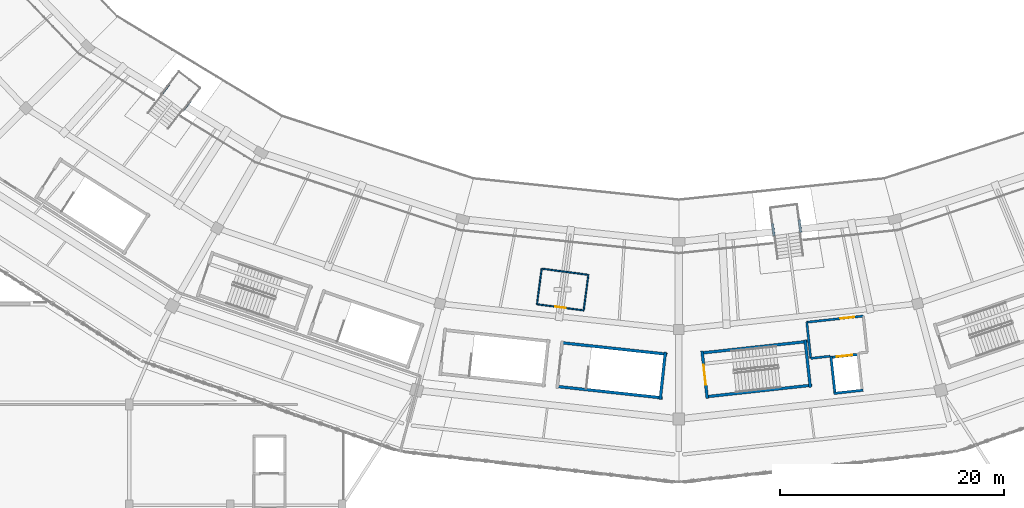
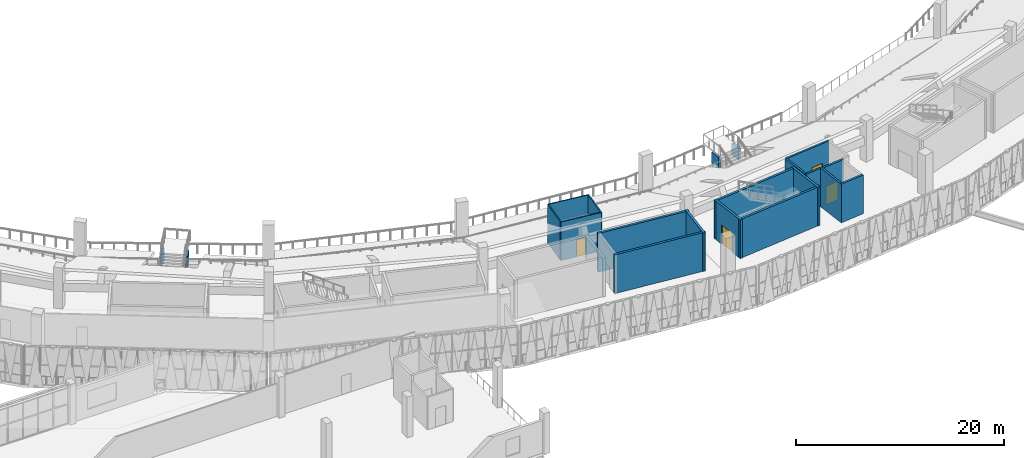
# One storey, part 92 of 152: 21 walls, 4 doors, 4 openings.
"""IFC4 building model written with IfcOpenShell, lengths in metres."""

from ifc_helpers import new_model, si_unit, direction, frame, frame_2d, origin, place, context, subcontext, project, spatial, rectangle, extrude, material, layer, layer_set, type_object, element, fill, save


model = new_model("IFC4")

# Units and contexts
model_context = context("Model", 3, precision=1e-05, world=origin(), true_north=direction((0.0, 1.0)))
body_context = subcontext(model_context, "Body", "Model", "MODEL_VIEW")
ifc_project = project(units=[si_unit("LENGTHUNIT", "METRE"), si_unit("AREAUNIT", "SQUARE_METRE"), si_unit("VOLUMEUNIT", "CUBIC_METRE"), si_unit("PLANEANGLEUNIT", "RADIAN"), si_unit("MASSUNIT", "GRAM", prefix="KILO")], contexts=[model_context])

# Site, building, storey
site_placement = place(None, origin())
site = spatial("IfcSite", under=ifc_project, at=site_placement, CompositionType="ELEMENT")
building_placement = place(site_placement, origin())
building = spatial("IfcBuilding", under=site, at=building_placement, Name="Zevraka Park Crest Stadium", CompositionType="ELEMENT")
storey_placement = place(building_placement, frame((0.0, 0.0, 15.0)))
storey = spatial("IfcBuildingStorey", under=building, at=storey_placement, Name="L03", CompositionType="ELEMENT", Elevation=15.0)

# Walls
ifc_material_1 = material(Name="Autoclaved aerated masonry blockwork", Category="masonry")
ifc_layer_1 = layer(ifc_material_1, 0.199951171875)
ifc_layer_set_1 = layer_set([ifc_layer_1], Name="Autoclaved aerated masonry blockwork")
wall_type_1 = type_object("IfcWallType", Name="IW01", PredefinedType="PARTITIONING", material=ifc_layer_set_1)
wall_1_placement = place(storey_placement, frame((125.47509765625, 22.302001953125, 0.0), z_axis=(0.0, 0.0, 1.0), x_axis=(-0.994135511072, -0.108141507414, 0.0)))
element("IfcWall", 1, at=wall_1_placement, inside=storey, type_object=wall_type_1, Name="Firefighting Lift Lobby Wall IW01 FL04 L03 BACKR", PredefinedType="PARTITIONING", context=body_context, shape_type="SweptSolid", body=[
    extrude(rectangle(XDim=1.72021484375, YDim=0.199951171875, at=frame_2d((0.860107421875, 0.0))), origin(), (0.0, 0.0, 1.0), 4.52001953125),
])
wall_2_placement = place(storey_placement, frame((123.764892578125, 22.115966796875, 0.0), z_axis=(0.0, 0.0, 1.0), x_axis=(-0.108280975823, 0.994120329877, 0.0)))
element("IfcWall", 2, at=wall_2_placement, inside=storey, type_object=wall_type_1, Name="Firefighting Lift Lobby Wall IW01 FL04 L03 RIGHT", PredefinedType="PARTITIONING", context=body_context, shape_type="SweptSolid", body=[
    extrude(rectangle(XDim=3.239990234375, YDim=0.199951171875, at=frame_2d((1.6201171875, 0.0))), origin(), (0.0, 0.0, 1.0), 4.52001953125),
])

# Wall, opening, door
wall_3_placement = place(storey_placement, frame((128.4541015625, 25.885986328125, 0.0), z_axis=(0.0, 0.0, 1.0), x_axis=(-0.994118117986, -0.108301281116, 0.0)))
wall_3 = element("IfcWall", 3, at=wall_3_placement, inside=storey, type_object=wall_type_1, Name="Firefighting Lift Lobby Wall IW01 FL04 L03 FRONT", PredefinedType="PARTITIONING", context=body_context, shape_type="SweptSolid", body=[
    extrude(rectangle(XDim=5.06982421875, YDim=0.199951171875, at=frame_2d((2.534912109375, 0.0))), origin(), (0.0, 0.0, 1.0), 4.52001953125),
])
opening_1_placement = place(wall_3_placement, frame((0.794921875, 0.0, 0.0)))
opening_1 = element("IfcOpeningElement", 4, at=opening_1_placement, cuts=wall_3, Name="Opening D-L03-322", PredefinedType="OPENING", context=body_context, shape_type="SweptSolid", body=[
    extrude(rectangle(XDim=1.25, YDim=2.199951171875, at=frame_2d((0.625, 1.10009765625))), frame((0.0, 0.10986328125, 0.0), z_axis=(0.0, -1.0, 0.0), x_axis=(1.0, 0.0, 0.0)), (0.0, 0.0, 1.0), 0.219970703125),
])
ifc_material_2 = material(Name="Solid-core hardwood timber leaf in steel frame", Category="steel")
door_type_1 = type_object("IfcDoorType", Name="DR07", OperationType="NOTDEFINED", PredefinedType="DOOR", material=ifc_material_2)
door_1_placement = place(opening_1_placement, origin())
door_1 = element("IfcDoor", 5, at=door_1_placement, inside=storey, type_object=door_type_1, Name="Firefighting Lift Lobby FL04 Door D-L03-322", OperationType="SINGLE_SWING_RIGHT", OverallHeight=2.199951171875, OverallWidth=1.25, PredefinedType="DOOR", context=body_context, shape_type="SweptSolid", body=[
    extrude(rectangle(XDim=1.25, YDim=2.199951171875, at=frame_2d((0.625, 1.10009765625))), frame((0.0, 0.02490234375, 0.0), z_axis=(0.0, -1.0, 0.0), x_axis=(1.0, 0.0, 0.0)), (0.0, 0.0, 1.0), 0.050048828125),
])
fill(opening_1, door_1)

# Walls
ifc_material_3 = material(Name="Moisture-resistant sanitary partition", Category="other")
ifc_layer_2 = layer(ifc_material_3, 0.1201171875)
ifc_layer_set_2 = layer_set([ifc_layer_2], Name="Moisture-resistant sanitary partition")
wall_type_2 = type_object("IfcWallType", Name="IW04", PredefinedType="PARTITIONING", material=ifc_layer_set_2)
wall_4_placement = place(storey_placement, frame((99.77587890625, 30.111083984375, 0.0), z_axis=(0.0, 0.0, 1.0), x_axis=(0.991418249748, -0.130728168602, 0.0)))
element("IfcWall", 6, at=wall_4_placement, inside=storey, type_object=wall_type_2, Name="Sanitary Enclosure Wall IW04 Accessible WC L03-003-1", PredefinedType="PARTITIONING", context=body_context, shape_type="SweptSolid", body=[
    extrude(rectangle(XDim=4.2001953125, YDim=0.1201171875, at=frame_2d((2.10009765625, 0.0))), origin(), (0.0, 0.0, 1.0), 4.52001953125),
])
wall_5_placement = place(storey_placement, frame((103.93994140625, 29.56201171875, 0.0), z_axis=(0.0, 0.0, 1.0), x_axis=(-0.13063413101, -0.991430644985, 0.0)))
element("IfcWall", 7, at=wall_5_placement, inside=storey, type_object=wall_type_2, Name="Sanitary Enclosure Wall IW04 Accessible WC L03-003-2", PredefinedType="PARTITIONING", context=body_context, shape_type="SweptSolid", body=[
    extrude(rectangle(XDim=3.199462890625, YDim=0.1201171875, at=frame_2d((1.599609375, 0.0))), origin(), (0.0, 0.0, 1.0), 4.52001953125),
])

# Wall, opening, door
wall_6_placement = place(storey_placement, frame((103.52197265625, 26.389892578125, 0.0), z_axis=(0.0, 0.0, 1.0), x_axis=(-0.991448358947, 0.130499622762, 0.0)))
wall_6 = element("IfcWall", 8, at=wall_6_placement, inside=storey, type_object=wall_type_2, Name="Sanitary Enclosure Wall IW04 Accessible WC L03-003-3", PredefinedType="PARTITIONING", context=body_context, shape_type="SweptSolid", body=[
    extrude(rectangle(XDim=4.199951171875, YDim=0.1201171875, at=frame_2d((2.10009765625, 0.0))), origin(), (0.0, 0.0, 1.0), 4.52001953125),
])
opening_2_placement = place(wall_6_placement, frame((1.625, 0.0, 0.0)))
opening_2 = element("IfcOpeningElement", 9, at=opening_2_placement, cuts=wall_6, Name="Opening D-L03-348", PredefinedType="OPENING", context=body_context, shape_type="SweptSolid", body=[
    extrude(rectangle(XDim=0.949951171875, YDim=2.010009765625, at=frame_2d((0.47509765625, 1.0048828125))), frame((0.0, 0.070068359375, 0.0), z_axis=(0.0, -1.0, 0.0), x_axis=(1.0, 0.0, 0.0)), (0.0, 0.0, 1.0), 0.14013671875),
])
ifc_material_4 = material(Name="Solid-core hardwood timber leaf in steel frame", Category="steel")
door_type_2 = type_object("IfcDoorType", Name="DR08", OperationType="NOTDEFINED", PredefinedType="DOOR", material=ifc_material_4)
door_2_placement = place(opening_2_placement, origin())
door_2 = element("IfcDoor", 10, at=door_2_placement, inside=storey, type_object=door_type_2, Name="Accessible WC Door D-L03-348", OperationType="SINGLE_SWING_RIGHT", OverallHeight=2.010009765625, OverallWidth=0.949951171875, PredefinedType="DOOR", context=body_context, shape_type="SweptSolid", body=[
    extrude(rectangle(XDim=0.949951171875, YDim=2.010009765625, at=frame_2d((0.47509765625, 1.0048828125))), frame((0.0, 0.02490234375, 0.0), z_axis=(0.0, -1.0, 0.0), x_axis=(1.0, 0.0, 0.0)), (0.0, 0.0, 1.0), 0.050048828125),
])
fill(opening_2, door_2)

# Walls
wall_7_placement = place(storey_placement, frame((99.35791015625, 26.93798828125, 0.0), z_axis=(0.0, 0.0, 1.0), x_axis=(0.130594612403, 0.991435851284, 0.0)))
element("IfcWall", 11, at=wall_7_placement, inside=storey, type_object=wall_type_2, Name="Sanitary Enclosure Wall IW04 Accessible WC L03-003-4", PredefinedType="PARTITIONING", context=body_context, shape_type="SweptSolid", body=[
    extrude(rectangle(XDim=3.200439453125, YDim=0.1201171875, at=frame_2d((1.60009765625, 0.0))), origin(), (0.0, 0.0, 1.0), 4.52001953125),
])
ifc_material_5 = material(Name="Concrete C40/50", Category="concrete")
ifc_layer_3 = layer(ifc_material_5, 0.25)
ifc_layer_set_3 = layer_set([ifc_layer_3], Name="Concrete C40/50")
wall_type_3 = type_object("IfcWallType", Name="SW01", PredefinedType="SHEAR", material=ifc_layer_set_3)
for number, where, z_axis, x_axis, name in (
    (12, (114.397216796875, 18.689453125, 0.0), (0.0, 0.0, 1.0), (0.994127555169, 0.108214620337, 0.0), "Stair Core Shear Wall SW01 ST19 L03 left"),
    (13, (123.466796875, 23.619873046875, 0.0), (0.0, 0.0, 1.0), (-0.994127555169, -0.108214620337, 0.0), "Stair Core Shear Wall SW01 ST19 L03 right"),
):
    element("IfcWall", number, at=place(storey_placement, frame(where, z_axis=z_axis, x_axis=x_axis)), inside=storey, type_object=wall_type_3, Name=name, PredefinedType="SHEAR", context=body_context, shape_type="SweptSolid", body=[
        extrude(rectangle(XDim=9.550048828125, YDim=0.25, at=frame_2d((4.77490234375, 0.0))), origin(), (0.0, 0.0, 1.0), 4.5400390625),
    ])

# Wall, opening, door
wall_8_placement = place(storey_placement, frame((114.078857421875, 22.76904296875, 0.0), z_axis=(0.0, 0.0, 1.0), x_axis=(0.108198315262, -0.994129329903, 0.0)))
wall_8 = element("IfcWall", 14, at=wall_8_placement, inside=storey, type_object=wall_type_3, Name="Stair Core Shear Wall SW01 ST19 L03 near", PredefinedType="SHEAR", context=body_context, shape_type="SweptSolid", body=[
    extrude(rectangle(XDim=4.260009765625, YDim=0.25, at=frame_2d((2.1298828125, 0.0))), origin(), (0.0, 0.0, 1.0), 4.5400390625),
])
opening_3_placement = place(wall_8_placement, frame((1.22998046875, 0.0, 0.0)))
opening_3 = element("IfcOpeningElement", 15, at=opening_3_placement, cuts=wall_8, Name="Opening D-L03-113", PredefinedType="OPENING", context=body_context, shape_type="SweptSolid", body=[
    extrude(rectangle(XDim=1.800048828125, YDim=2.25, at=frame_2d((0.89990234375, 1.125))), frame((0.0, 0.135009765625, 0.0), z_axis=(0.0, -1.0, 0.0), x_axis=(1.0, 0.0, 0.0)), (0.0, 0.0, 1.0), 0.27001953125),
])
ifc_material_6 = material(Name="Solid-core hardwood timber leaf in steel frame", Category="steel")
door_type_3 = type_object("IfcDoorType", Name="DR04", OperationType="NOTDEFINED", PredefinedType="DOOR", material=ifc_material_6)
door_3_placement = place(opening_3_placement, origin())
door_3 = element("IfcDoor", 16, at=door_3_placement, inside=storey, type_object=door_type_3, Name="Protected Stair Entry Door ST19 L03", OperationType="DOUBLE_DOOR_SINGLE_SWING", OverallHeight=2.25, OverallWidth=1.800048828125, PredefinedType="DOOR", context=body_context, shape_type="SweptSolid", body=[
    extrude(rectangle(XDim=1.800048828125, YDim=2.25, at=frame_2d((0.89990234375, 1.125))), frame((0.0, 0.02490234375, 0.0), z_axis=(0.0, -1.0, 0.0), x_axis=(1.0, 0.0, 0.0)), (0.0, 0.0, 1.0), 0.050048828125),
])
fill(opening_3, door_3)

# Walls
wall_9_placement = place(storey_placement, frame((123.7255859375, 19.533935546875, 0.0), z_axis=(0.0, 0.0, 1.0), x_axis=(-0.108204479885, 0.994128658944, 0.0)))
element("IfcWall", 17, at=wall_9_placement, inside=storey, type_object=wall_type_3, Name="Stair Core Shear Wall SW01 ST19 L03 far", PredefinedType="SHEAR", context=body_context, shape_type="SweptSolid", body=[
    extrude(rectangle(XDim=4.259765625, YDim=0.25, at=frame_2d((2.1298828125, 0.0))), origin(), (0.0, 0.0, 1.0), 4.5400390625),
])
for number, where, z_axis, x_axis, name in (
    (18, (101.052734375, 19.62060546875, 0.0), (0.0, 0.0, 1.0), (0.994127555169, -0.108214620337, 0.0), "Stair Core Shear Wall SW01 ST30 L03 left"),
    (19, (110.970947265625, 22.484130859375, 0.0), (0.0, 0.0, 1.0), (-0.994127555169, 0.108214620337, 0.0), "Stair Core Shear Wall SW01 ST30 L03 right"),
):
    element("IfcWall", number, at=place(storey_placement, frame(where, z_axis=z_axis, x_axis=x_axis)), inside=storey, type_object=wall_type_3, Name=name, PredefinedType="SHEAR", context=body_context, shape_type="SweptSolid", body=[
        extrude(rectangle(XDim=9.550048828125, YDim=0.25, at=frame_2d((4.77490234375, 0.0))), origin(), (0.0, 0.0, 1.0), 4.5400390625),
    ])
wall_10_placement = place(storey_placement, frame((110.344482421875, 18.43798828125, 0.0), z_axis=(0.0, 0.0, 1.0), x_axis=(0.108198315262, 0.994129329903, 0.0)))
element("IfcWall", 20, at=wall_10_placement, inside=storey, type_object=wall_type_3, Name="Stair Core Shear Wall SW01 ST30 L03 far", PredefinedType="SHEAR", context=body_context, shape_type="SweptSolid", body=[
    extrude(rectangle(XDim=4.260009765625, YDim=0.25, at=frame_2d((2.1298828125, 0.0))), origin(), (0.0, 0.0, 1.0), 4.5400390625),
])
ifc_material_7 = material(Name="Concrete C40/50", Category="concrete")
ifc_layer_4 = layer(ifc_material_7, 0.219970703125)
ifc_layer_set_4 = layer_set([ifc_layer_4], Name="Concrete C40/50")
wall_type_4 = type_object("IfcWallType", Name="SW02", PredefinedType="SHEAR", material=ifc_layer_set_4)
for number, where, z_axis, x_axis, name in (
    (21, (67.7890625, 44.2109375, -0.300048828125), (0.0, 0.0, 1.0), (0.609004330555, 0.793166896287, 0.0), "Vomitory Portal Support Wall SW02 VS-14-1"),
    (22, (65.885009765625, 45.672119140625, -0.300048828125), (0.0, 0.0, 1.0), (0.609108144979, 0.79308717536, 0.0), "Vomitory Portal Support Wall SW02 VS-14-2"),
    (23, (122.873046875, 33.347900390625, -0.300048828125), (0.0, 0.0, 1.0), (-0.13109379611, 0.991369969598, 0.0), "Vomitory Portal Support Wall SW02 VS-15-1"),
):
    element("IfcWall", number, at=place(storey_placement, frame(where, z_axis=z_axis, x_axis=x_axis)), inside=storey, type_object=wall_type_4, Name=name, PredefinedType="SHEAR", context=body_context, shape_type="SweptSolid", body=[
        extrude(rectangle(XDim=1.135986328125, YDim=0.219970703125, at=frame_2d((0.56787109375, 0.0))), origin(), (0.0, 0.0, 1.0), 1.320068359375),
    ])
wall_11_placement = place(storey_placement, frame((120.492919921875, 33.034912109375, -0.300048828125), z_axis=(0.0, 0.0, 1.0), x_axis=(-0.130276557423, 0.991477694447, 0.0)))
element("IfcWall", 24, at=wall_11_placement, inside=storey, type_object=wall_type_4, Name="Vomitory Portal Support Wall SW02 VS-15-2", PredefinedType="SHEAR", context=body_context, shape_type="SweptSolid", body=[
    extrude(rectangle(XDim=1.1357421875, YDim=0.219970703125, at=frame_2d((0.56787109375, 0.0))), origin(), (0.0, 0.0, 1.0), 1.320068359375),
])
wall_12_placement = place(storey_placement, frame((125.81689453125, 18.989013671875, 0.0), z_axis=(0.0, 0.0, 1.0), x_axis=(0.994077313431, 0.108675180804, 0.0)))
element("IfcWall", 25, at=wall_12_placement, inside=storey, type_object=wall_type_4, Name="Lift Shaft Shear Wall SW02 FL04 L03-1", PredefinedType="SHEAR", context=body_context, shape_type="SweptSolid", body=[
    extrude(rectangle(XDim=2.6396484375, YDim=0.219970703125, at=frame_2d((1.31982421875, 0.0))), origin(), (0.0, 0.0, 1.0), 4.5400390625),
])

# Wall, opening, door
wall_13_placement = place(storey_placement, frame((128.091064453125, 22.47705078125, 0.0), z_axis=(0.0, 0.0, 1.0), x_axis=(-0.994067317545, -0.108766576613, 0.0)))
wall_13 = element("IfcWall", 26, at=wall_13_placement, inside=storey, type_object=wall_type_4, Name="Lift Shaft Shear Wall SW02 FL04 L03-3", PredefinedType="SHEAR", context=body_context, shape_type="SweptSolid", body=[
    extrude(rectangle(XDim=2.6396484375, YDim=0.219970703125, at=frame_2d((1.31982421875, 0.0))), origin(), (0.0, 0.0, 1.0), 4.5400390625),
])
opening_4_placement = place(wall_13_placement, frame((0.6201171875, 0.0, 0.0)))
opening_4 = element("IfcOpeningElement", 27, at=opening_4_placement, cuts=wall_13, Name="Opening LD-FL04-L03", PredefinedType="OPENING", context=body_context, shape_type="SweptSolid", body=[
    extrude(rectangle(XDim=1.39990234375, YDim=2.199951171875, at=frame_2d((0.699951171875, 1.10009765625))), frame((0.0, 0.119873046875, 0.0), z_axis=(0.0, -1.0, 0.0), x_axis=(1.0, 0.0, 0.0)), (0.0, 0.0, 1.0), 0.239990234375),
])
ifc_material_8 = material(Name="Brushed stainless steel lift landing doors", Category="steel")
door_type_4 = type_object("IfcDoorType", Name="LD01", OperationType="NOTDEFINED", PredefinedType="DOOR", material=ifc_material_8)
door_4_placement = place(opening_4_placement, origin())
door_4 = element("IfcDoor", 28, at=door_4_placement, inside=storey, type_object=door_type_4, Name="Lift Sliding Landing Door LD-FL04-L03", OperationType="SLIDING_TO_LEFT", OverallHeight=2.199951171875, OverallWidth=1.39990234375, PredefinedType="DOOR", context=body_context, shape_type="SweptSolid", body=[
    extrude(rectangle(XDim=1.39990234375, YDim=2.199951171875, at=frame_2d((0.699951171875, 1.10009765625))), frame((0.0, 0.02490234375, 0.0), z_axis=(0.0, -1.0, 0.0), x_axis=(1.0, 0.0, 0.0)), (0.0, 0.0, 1.0), 0.050048828125),
])
fill(opening_4, door_4)

# Wall
wall_14_placement = place(storey_placement, frame((125.56396484375, 22.31103515625, 0.0), z_axis=(0.0, 0.0, 1.0), x_axis=(0.108748511736, -0.994069293961, 0.0)))
element("IfcWall", 29, at=wall_14_placement, inside=storey, type_object=wall_type_4, Name="Lift Shaft Shear Wall SW02 FL04 L03-4", PredefinedType="SHEAR", context=body_context, shape_type="SweptSolid", body=[
    extrude(rectangle(XDim=3.439453125, YDim=0.219970703125, at=frame_2d((1.7197265625, 0.0))), origin(), (0.0, 0.0, 1.0), 4.5400390625),
])

save(model, "model.ifc")
